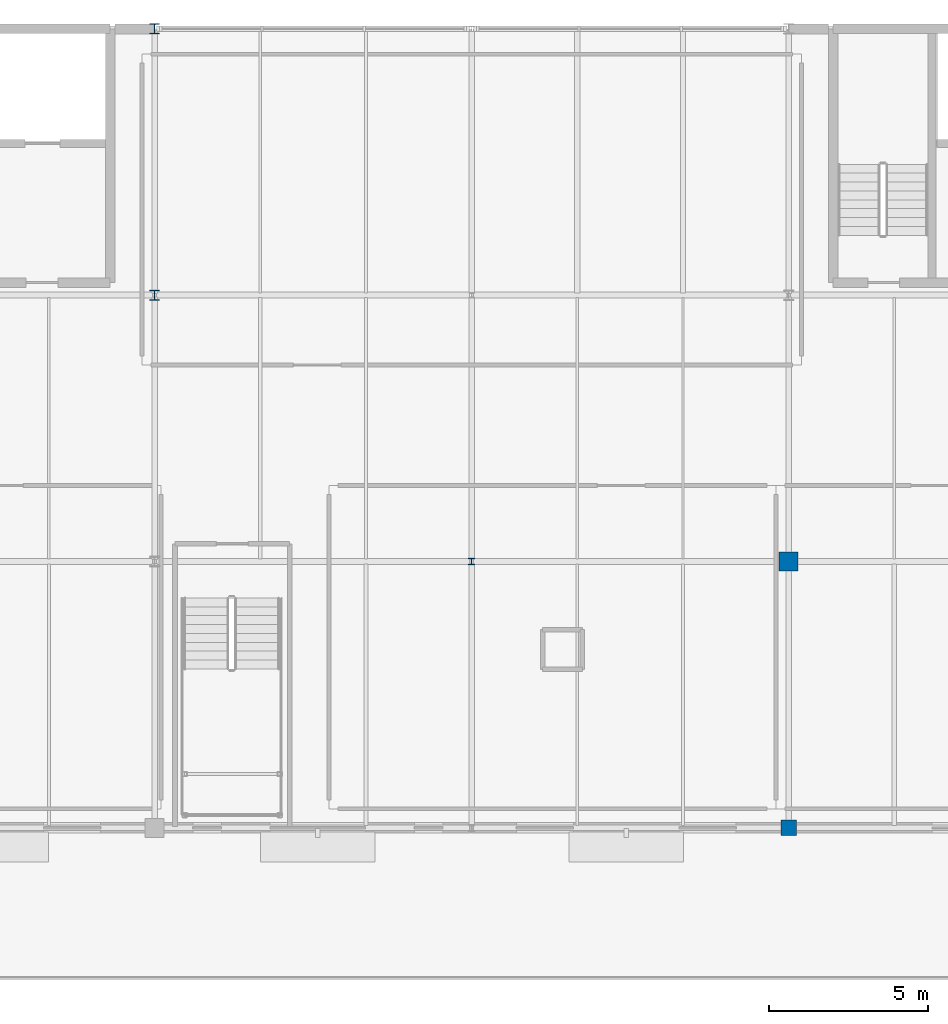
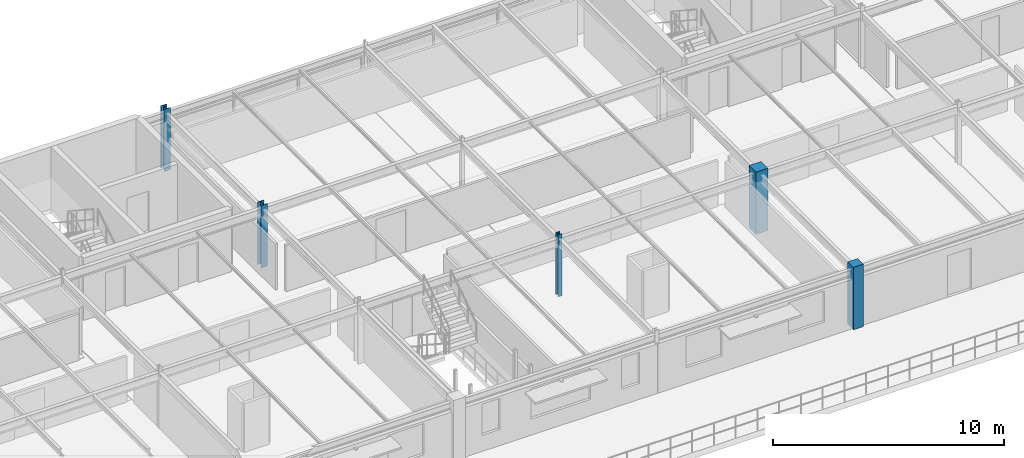
# One storey, part 6 of 23: 5 columns.
"""IFC4 building model written with IfcOpenShell, lengths in metres."""

from ifc_helpers import new_model, si_unit, derived_unit, direction, frame, origin, origin_2d_with_axis, place, context, subcontext, project, spatial, rectangle, i_section, extrude, material, material_profile, profile_set, type_object, element, save


model = new_model("IFC4")

# Units and contexts
model_context = context("Model", 3, precision=1e-05, world=origin(), true_north=direction((0.0, 1.0)))
body_context = subcontext(model_context, "Body", "Model", "MODEL_VIEW")
ifc_project = project(units=[si_unit("LENGTHUNIT", "METRE"), si_unit("AREAUNIT", "SQUARE_METRE"), si_unit("VOLUMEUNIT", "CUBIC_METRE"), si_unit("PLANEANGLEUNIT", "RADIAN"), si_unit("MASSUNIT", "GRAM", prefix="KILO"), derived_unit("THERMALTRANSMITTANCEUNIT", [(si_unit("POWERUNIT", "WATT"), 1), (si_unit("LENGTHUNIT", "METRE"), -2), (si_unit("THERMODYNAMICTEMPERATUREUNIT", "KELVIN"), -1)])], contexts=[model_context])

# Site, building, storey
site_placement = place(None, origin())
site = spatial("IfcSite", under=ifc_project, at=site_placement, CompositionType="ELEMENT")
building_placement = place(site_placement, origin())
building = spatial("IfcBuilding", under=site, at=building_placement, Name="Cinnabar Yard Market Hall", CompositionType="ELEMENT")
storey_placement = place(building_placement, frame((0.0, 0.0, 12.0)))
storey = spatial("IfcBuildingStorey", under=building, at=storey_placement, Name="L03", CompositionType="ELEMENT", Elevation=12.0)

# Columns
ifc_material_1 = material(Name="Steel Grade 350 (350 MPa)", Category="steel")
ifc_material_profile_1 = material_profile(ifc_material_1, i_section(OverallWidth=0.30908203125, OverallDepth=0.320556640625, WebThickness=0.013916015625, FlangeThickness=0.021728515625, FilletRadius=0.0166015625, at=origin_2d_with_axis()), Name="310UC137")
ifc_profile_set_1 = profile_set([ifc_material_profile_1], Name="Steel Grade 350 (350 MPa)")
column_type_1 = type_object("IfcColumnType", Name="COL-C07", PredefinedType="COLUMN", material=ifc_profile_set_1)
column_1_placement = place(storey_placement, frame((106.0, 129.60009765625, 0.0), z_axis=(0.0, 0.0, 1.0), x_axis=(1.0, 0.0, 0.0)))
element("IfcColumn", 1, at=column_1_placement, inside=storey, type_object=column_type_1, Name="Wing Column V3-05-04 L03", PredefinedType="COLUMN", context=body_context, shape_type="SweptSolid", body=[
    extrude(i_section(OverallWidth=0.30908203125, OverallDepth=0.320556640625, WebThickness=0.013916015625, FlangeThickness=0.021728515625, FilletRadius=0.0166015625, at=origin_2d_with_axis()), origin(), (0.0, 0.0, 1.0), 3.300048828125),
])
ifc_material_2 = material(Name="Steel Grade 300 (300 MPa)", Category="steel")
ifc_material_profile_2 = material_profile(ifc_material_2, i_section(OverallWidth=0.307373046875, OverallDepth=0.314697265625, WebThickness=0.011962890625, FlangeThickness=0.018798828125, FilletRadius=0.0166015625, at=origin_2d_with_axis()), Name="310UC118")
ifc_profile_set_2 = profile_set([ifc_material_profile_2], Name="Steel Grade 300 (300 MPa)")
column_type_2 = type_object("IfcColumnType", Name="COL-C08E", PredefinedType="COLUMN", material=ifc_profile_set_2)
column_2_placement = place(storey_placement, frame((106.0, 138.0, 0.0), z_axis=(0.0, 0.0, 1.0), x_axis=(1.0, 0.0, 0.0)))
element("IfcColumn", 2, at=column_2_placement, inside=storey, type_object=column_type_2, Name="Wing Column V3-05-05 L03", PredefinedType="COLUMN", context=body_context, shape_type="SweptSolid", body=[
    extrude(i_section(OverallWidth=0.307373046875, OverallDepth=0.314697265625, WebThickness=0.011962890625, FlangeThickness=0.018798828125, FilletRadius=0.0166015625, at=origin_2d_with_axis()), origin(), (0.0, 0.0, 1.0), 3.300048828125),
])
ifc_material_profile_3 = material_profile(ifc_material_2, i_section(OverallWidth=0.205078125, OverallDepth=0.209716796875, WebThickness=0.00927734375, FlangeThickness=0.01416015625, FilletRadius=0.011474609375, at=origin_2d_with_axis()), Name="200UC59.5")
ifc_profile_set_3 = profile_set([ifc_material_profile_3], Name="Steel Grade 300 (300 MPa)")
column_type_3 = type_object("IfcColumnType", Name="COL-C17", PredefinedType="COLUMN", material=ifc_profile_set_3)
column_3_placement = place(storey_placement, frame((116.0, 121.199951171875, 0.0), z_axis=(0.0, 0.0, 1.0), x_axis=(1.0, 0.0, 0.0)))
element("IfcColumn", 3, at=column_3_placement, inside=storey, type_object=column_type_3, Name="Wing Column V3-06-03 L03", PredefinedType="COLUMN", context=body_context, shape_type="SweptSolid", body=[
    extrude(i_section(OverallWidth=0.205078125, OverallDepth=0.209716796875, WebThickness=0.00927734375, FlangeThickness=0.01416015625, FilletRadius=0.011474609375, at=origin_2d_with_axis()), origin(), (0.0, 0.0, 1.0), 3.300048828125),
])
ifc_material_3 = material(Name="Concrete 40 MPa", Category="concrete")
ifc_material_profile_4 = material_profile(ifc_material_3, rectangle(XDim=0.5, YDim=0.5, at=origin_2d_with_axis()), Name="RC-500x500")
ifc_profile_set_4 = profile_set([ifc_material_profile_4], Name="Concrete 40 MPa")
column_type_4 = type_object("IfcColumnType", Name="COL-RC1E", PredefinedType="COLUMN", material=ifc_profile_set_4)
column_4_placement = place(storey_placement, frame((126.0, 112.800048828125, 0.0), z_axis=(0.0, 0.0, 1.0), x_axis=(1.0, 0.0, 0.0)))
element("IfcColumn", 4, at=column_4_placement, inside=storey, type_object=column_type_4, Name="Wing Column V3-07-02 L03", PredefinedType="COLUMN", context=body_context, shape_type="SweptSolid", body=[
    extrude(rectangle(XDim=0.5, YDim=0.5, at=origin_2d_with_axis()), origin(), (0.0, 0.0, 1.0), 3.300048828125),
])
ifc_material_profile_5 = material_profile(ifc_material_3, rectangle(XDim=0.60009765625, YDim=0.60009765625, at=origin_2d_with_axis()), Name="RC-600x600")
ifc_profile_set_5 = profile_set([ifc_material_profile_5], Name="Concrete 40 MPa")
column_type_5 = type_object("IfcColumnType", Name="COL-RC2", PredefinedType="COLUMN", material=ifc_profile_set_5)
column_5_placement = place(storey_placement, frame((126.0, 121.199951171875, 0.0), z_axis=(0.0, 0.0, 1.0), x_axis=(1.0, 0.0, 0.0)))
element("IfcColumn", 5, at=column_5_placement, inside=storey, type_object=column_type_5, Name="Wing Column V3-07-03 L03", PredefinedType="COLUMN", context=body_context, shape_type="SweptSolid", body=[
    extrude(rectangle(XDim=0.60009765625, YDim=0.60009765625, at=origin_2d_with_axis()), origin(), (0.0, 0.0, 1.0), 3.300048828125),
])

save(model, "model.ifc")
